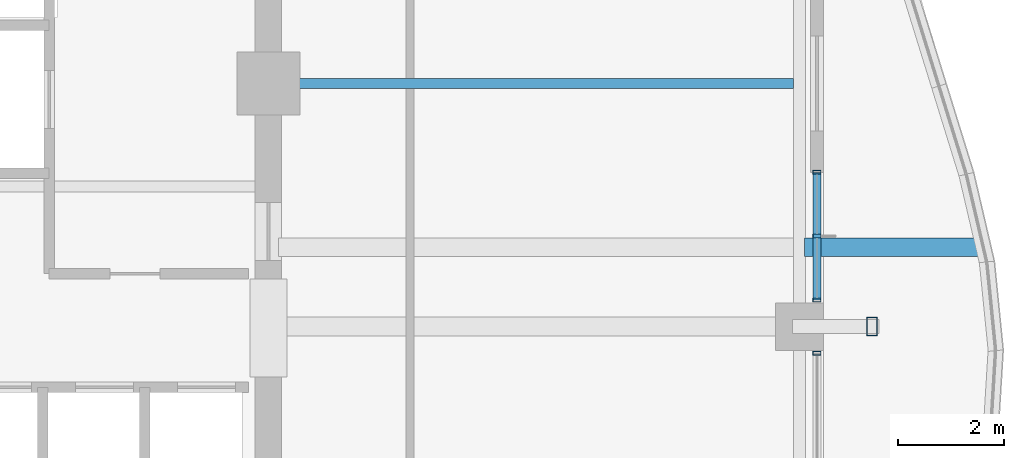
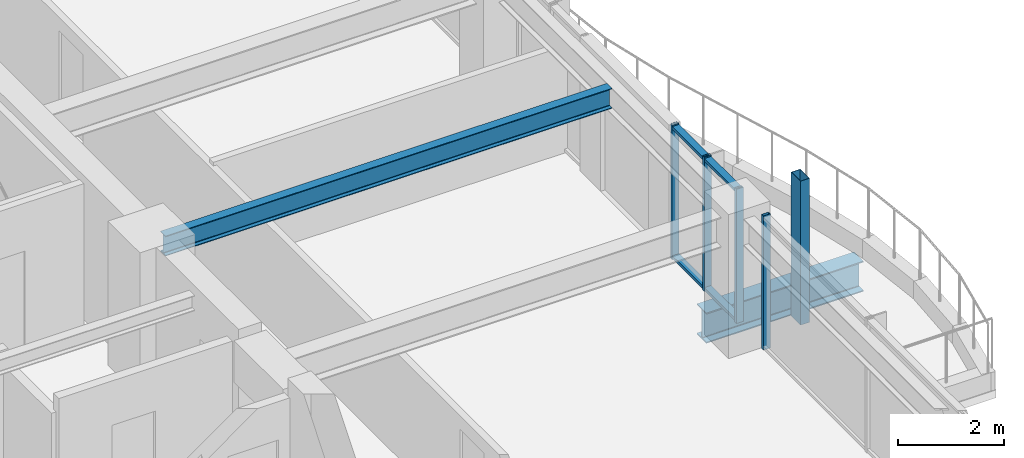
# One storey, part 13 of 35: 7 members, 2 beams, 2 elements without a shape of their own.
"""IFC4 building model written with IfcOpenShell, lengths in metres."""

from ifc_helpers import new_model, si_unit, direction, frame, origin, origin_2d, place, context, subcontext, project, spatial, hollow_rectangle, i_section, extrude, material, material_profile, profile_set, type_object, element, aggregate, save


model = new_model("IFC4")

# Units and contexts
model_context = context("Model", 3, precision=1e-05, world=origin(), true_north=direction((0.0, 1.0)))
body_context = subcontext(model_context, "Body", "Model", "MODEL_VIEW")
ifc_project = project(units=[si_unit("LENGTHUNIT", "METRE"), si_unit("AREAUNIT", "SQUARE_METRE"), si_unit("VOLUMEUNIT", "CUBIC_METRE"), si_unit("PLANEANGLEUNIT", "RADIAN"), si_unit("MASSUNIT", "GRAM", prefix="KILO")], contexts=[model_context])

# Site, building, storey
site_placement = place(None, origin())
site = spatial("IfcSite", under=ifc_project, at=site_placement, CompositionType="ELEMENT")
building_placement = place(site_placement, origin())
building = spatial("IfcBuilding", under=site, at=building_placement, Name="Kolvaren Belvedere", CompositionType="ELEMENT")
storey_placement = place(building_placement, frame((0.0, 0.0, 183.300048828125)))
storey = spatial("IfcBuildingStorey", under=building, at=storey_placement, Name="L53", CompositionType="ELEMENT", Elevation=183.300048828125)

# Beams
ifc_material_1 = material(Name="Structural steel ASTM A992 Grade 50", Category="steel")
ifc_material_profile_1 = material_profile(ifc_material_1, i_section(OverallWidth=0.35498046875, OverallDepth=0.696044921875, WebThickness=0.015380859375, FlangeThickness=0.02490234375, FilletRadius=0.02197265625, at=origin_2d()), Name="W27X146")
ifc_profile_set_1 = profile_set([ifc_material_profile_1], Name="Structural steel ASTM A992 Grade 50")
beam_type_1 = type_object("IfcBeamType", Name="BM-CANT-BAL", PredefinedType="BEAM", material=ifc_profile_set_1)
beam_1_placement = place(storey_placement, frame((20.044921875, -3.10009765625, -0.568115234375), z_axis=(1.0, 0.0, 0.0), x_axis=(0.0, 1.0, 0.0)))
element("IfcBeam", 1, at=beam_1_placement, inside=storey, type_object=beam_type_1, Name="L53 Planted Balcony Cantilever BAL-E-1", PredefinedType="BEAM", context=body_context, shape_type="SweptSolid", body=[
    extrude(i_section(OverallWidth=0.35498046875, OverallDepth=0.696044921875, WebThickness=0.015380859375, FlangeThickness=0.02490234375, FilletRadius=0.02197265625, at=origin_2d()), origin(), (0.0, 0.0, 1.0), 3.406494140625),
])
ifc_material_2 = material(Name="Structural steel ASTM A992 Grade 50", Category="steel")
ifc_material_profile_2 = material_profile(ifc_material_2, i_section(OverallWidth=0.19091796875, OverallDepth=0.4599609375, WebThickness=0.010009765625, FlangeThickness=0.01611328125, FilletRadius=0.014892578125, at=origin_2d()), Name="W18X55")
ifc_profile_set_2 = profile_set([ifc_material_profile_2], Name="Structural steel ASTM A992 Grade 50")
beam_type_2 = type_object("IfcBeamType", Name="BM-JOIST-W18X55", PredefinedType="BEAM", material=ifc_profile_set_2)
beam_2_placement = place(storey_placement, frame((10.14990234375, 0.0, 2.849853515625), z_axis=(1.0, 0.0, 0.0), x_axis=(0.0, 1.0, 0.0)))
element("IfcBeam", 2, at=beam_2_placement, inside=storey, type_object=beam_type_2, Name="L53 East Centre Floor Beam", PredefinedType="BEAM", context=body_context, shape_type="SweptSolid", body=[
    extrude(i_section(OverallWidth=0.19091796875, OverallDepth=0.4599609375, WebThickness=0.010009765625, FlangeThickness=0.01611328125, FilletRadius=0.014892578125, at=origin_2d()), origin(), (0.0, 0.0, 1.0), 9.685546875),
])

# Curtain wall, members
ifc_material_3 = material(Name="Anodised pale-metal aluminium AA 6063-T6", Category="aluminium")
curtain_wall_type = type_object("IfcCurtainWallType", Name="CW-Z5-HIGH", PredefinedType="NOTDEFINED", material=ifc_material_3)
curtain_wall_1_placement = place(storey_placement, origin())
curtain_wall_1 = element("IfcCurtainWall", 3, at=curtain_wall_1_placement, inside=storey, type_object=curtain_wall_type, Name="L53 Unitised Curtain Wall FCW-L53-E2-B1", PredefinedType="NOTDEFINED")
ifc_material_4 = material(Name="Anodised pale-metal aluminium AA 6063-T6", Category="aluminium")
ifc_material_profile_3 = material_profile(ifc_material_4, hollow_rectangle(XDim=0.070068359375, YDim=0.14990234375, WallThickness=0.004150390625, at=origin_2d()), Name="ALU-MUL-150X70")
ifc_profile_set_3 = profile_set([ifc_material_profile_3], Name="Anodised pale-metal aluminium AA 6063-T6")
member_type_1 = type_object("IfcMemberType", Name="CW-MUL-150", PredefinedType="MULLION", material=ifc_profile_set_3)
member_1_placement = place(storey_placement, frame((20.280029296875, -1.679931640625, 0.0), z_axis=(0.0, 0.0, 1.0), x_axis=(0.0, 1.0, 0.0)))
member_1 = element("IfcMember", 4, at=member_1_placement, type_object=member_type_1, Name="FCW-L53-E2-B1 Unitised Mullion 1", PredefinedType="MULLION", context=body_context, shape_type="SweptSolid", body=[
    extrude(hollow_rectangle(XDim=0.070068359375, YDim=0.14990234375, WallThickness=0.004150390625, at=origin_2d()), origin(), (0.0, 0.0, 1.0), 3.079833984375),
])
member_2_placement = place(storey_placement, frame((20.280029296875, -2.887451171875, 0.0), z_axis=(0.0, 0.0, 1.0), x_axis=(0.0, 1.0, 0.0)))
member_2 = element("IfcMember", 5, at=member_2_placement, type_object=member_type_1, Name="FCW-L53-E2-B1 Unitised Mullion 2", PredefinedType="MULLION", context=body_context, shape_type="SweptSolid", body=[
    extrude(hollow_rectangle(XDim=0.070068359375, YDim=0.14990234375, WallThickness=0.004150390625, at=origin_2d()), origin(), (0.0, 0.0, 1.0), 3.079833984375),
])
member_3_placement = place(storey_placement, frame((20.280029296875, -4.094970703125, 0.0), z_axis=(0.0, 0.0, 1.0), x_axis=(0.0, 1.0, 0.0)))
member_3 = element("IfcMember", 6, at=member_3_placement, type_object=member_type_1, Name="FCW-L53-E2-B1 Unitised Mullion 3", PredefinedType="MULLION", context=body_context, shape_type="SweptSolid", body=[
    extrude(hollow_rectangle(XDim=0.070068359375, YDim=0.14990234375, WallThickness=0.004150390625, at=origin_2d()), origin(), (0.0, 0.0, 1.0), 3.079833984375),
])

# Curtain wall, member
curtain_wall_2_placement = place(storey_placement, origin())
curtain_wall_2 = element("IfcCurtainWall", 7, at=curtain_wall_2_placement, inside=storey, type_object=curtain_wall_type, Name="L53 Unitised Curtain Wall FCW-L53-E2-B2", PredefinedType="NOTDEFINED")
member_4_placement = place(storey_placement, frame((20.280029296875, -5.10498046875, 0.0), z_axis=(0.0, 0.0, 1.0), x_axis=(0.0, 1.0, 0.0)))
member_4 = element("IfcMember", 8, at=member_4_placement, type_object=member_type_1, Name="FCW-L53-E2-B2 Unitised Mullion 1", PredefinedType="MULLION", context=body_context, shape_type="SweptSolid", body=[
    extrude(hollow_rectangle(XDim=0.070068359375, YDim=0.14990234375, WallThickness=0.004150390625, at=origin_2d()), origin(), (0.0, 0.0, 1.0), 3.079833984375),
])
aggregate(curtain_wall_2, [member_4])

# Member
ifc_material_5 = material(Name="Anodised pale-metal aluminium AA 6063-T6", Category="aluminium")
ifc_material_profile_4 = material_profile(ifc_material_5, hollow_rectangle(XDim=0.06494140625, YDim=0.14990234375, WallThickness=0.00390625, at=origin_2d()), Name="ALU-TRN-150X65")
ifc_profile_set_4 = profile_set([ifc_material_profile_4], Name="Anodised pale-metal aluminium AA 6063-T6")
member_type_2 = type_object("IfcMemberType", Name="CW-TRN-150", PredefinedType="USERDEFINED", material=ifc_profile_set_4)
member_5_placement = place(storey_placement, frame((20.280029296875, -1.679931640625, 0.06005859375), z_axis=(0.0, -1.0, 0.0), x_axis=(0.0, 0.0, 1.0)))
member_5 = element("IfcMember", 9, at=member_5_placement, type_object=member_type_2, Name="FCW-L53-E2-B1 Sill Transom", ObjectType="TRANSOM", PredefinedType="USERDEFINED", context=body_context, shape_type="SweptSolid", body=[
    extrude(hollow_rectangle(XDim=0.06494140625, YDim=0.14990234375, WallThickness=0.00390625, at=origin_2d()), origin(), (0.0, 0.0, 1.0), 2.4150390625),
])

member_6_placement = place(storey_placement, frame((20.280029296875, -1.679931640625, 3.02001953125), z_axis=(0.0, -1.0, 0.0), x_axis=(0.0, 0.0, 1.0)))
member_6 = element("IfcMember", 10, at=member_6_placement, type_object=member_type_2, Name="FCW-L53-E2-B1 Head Transom", ObjectType="TRANSOM", PredefinedType="USERDEFINED", context=body_context, shape_type="SweptSolid", body=[
    extrude(hollow_rectangle(XDim=0.06494140625, YDim=0.14990234375, WallThickness=0.00390625, at=origin_2d()), origin(), (0.0, 0.0, 1.0), 2.4150390625),
])

aggregate(curtain_wall_1, [member_1, member_2, member_3, member_5, member_6])

ifc_material_6 = material(Name="Anodised pale-metal aluminium AA 6063-T6", Category="aluminium")
ifc_material_profile_5 = material_profile(ifc_material_6, hollow_rectangle(XDim=0.199951171875, YDim=0.35009765625, WallThickness=0.007568359375, at=origin_2d()), Name="ALU-PF-350X200")
ifc_profile_set_5 = profile_set([ifc_material_profile_5], Name="Anodised pale-metal aluminium AA 6063-T6")
member_type_3 = type_object("IfcMemberType", Name="PF-FRAME-350", PredefinedType="USERDEFINED", material=ifc_profile_set_5)
member_7_placement = place(storey_placement, frame((21.320068359375, -4.60009765625, 0.0), z_axis=(0.0, 0.0, 1.0), x_axis=(1.0, 0.0, 0.0)))
element("IfcMember", 11, at=member_7_placement, inside=storey, type_object=member_type_3, Name="L53 Outboard Picture-Frame Vertical E2", ObjectType="PICTURE FRAME FIN", PredefinedType="USERDEFINED", context=body_context, shape_type="SweptSolid", body=[
    extrude(hollow_rectangle(XDim=0.199951171875, YDim=0.35009765625, WallThickness=0.007568359375, at=origin_2d()), origin(), (0.0, 0.0, 1.0), 3.300048828125),
])

save(model, "model.ifc")
